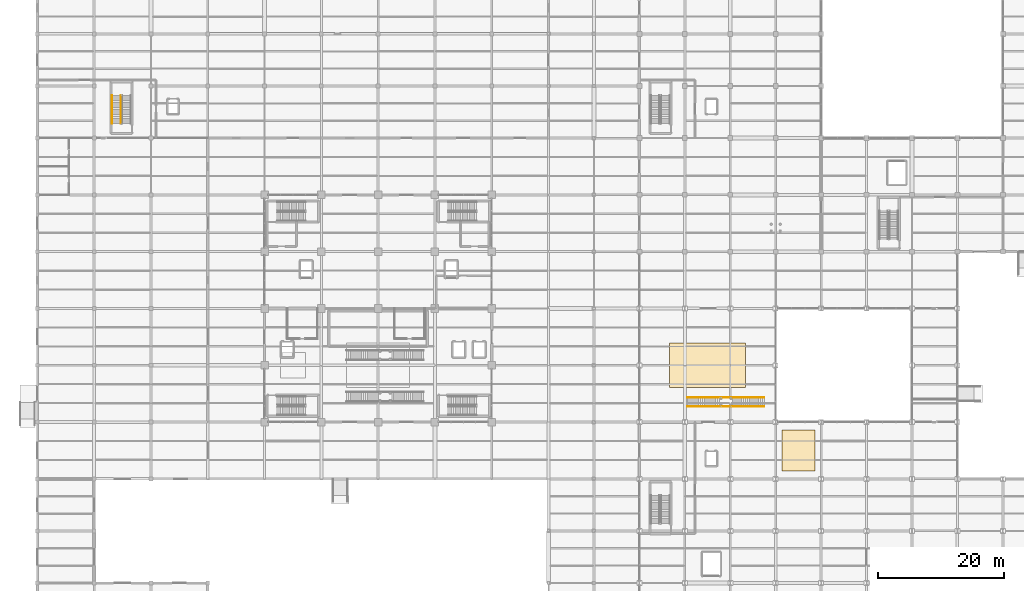
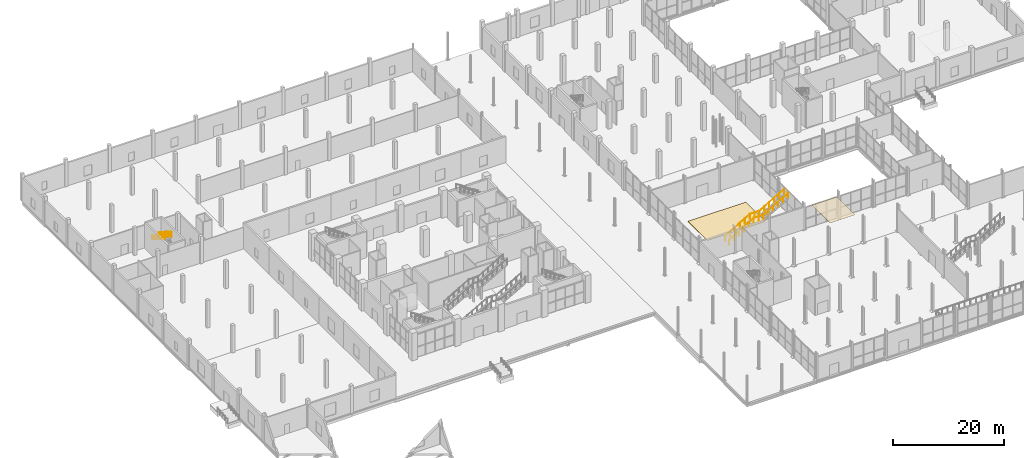
# One storey, part 139 of 144: 4 railings, 2 coverings.
"""IFC4 building model written with IfcOpenShell, lengths in metres."""

from ifc_helpers import new_model, si_unit, direction, frame, origin, origin_2d, place, context, subcontext, project, spatial, rectangle, circle, extrude, material, layer, layer_set, type_object, element, save


model = new_model("IFC4")

# Units and contexts
model_context = context("Model", 3, precision=1e-05, world=origin(), true_north=direction((0.0, 1.0)))
body_context = subcontext(model_context, "Body", "Model", "MODEL_VIEW")
ifc_project = project(units=[si_unit("LENGTHUNIT", "METRE"), si_unit("AREAUNIT", "SQUARE_METRE"), si_unit("VOLUMEUNIT", "CUBIC_METRE"), si_unit("PLANEANGLEUNIT", "RADIAN"), si_unit("MASSUNIT", "GRAM", prefix="KILO")], contexts=[model_context])

# Site, building, storey
site_placement = place(None, origin())
site = spatial("IfcSite", under=ifc_project, at=site_placement, CompositionType="ELEMENT")
building_placement = place(site_placement, origin())
building = spatial("IfcBuilding", under=site, at=building_placement, Name="Sundgate Opera House", CompositionType="ELEMENT")
storey_placement = place(building_placement, origin())
storey = spatial("IfcBuildingStorey", under=building, at=storey_placement, Name="L00", CompositionType="ELEMENT", Elevation=0.0)

# Coverings
ifc_material_1 = material(Name="Acoustic gypsum plasterboard ceiling", Category="gypsum")
ifc_layer_1 = layer(ifc_material_1, 0.034912109375)
ifc_layer_set_1 = layer_set([ifc_layer_1], Name="Acoustic gypsum plasterboard ceiling")
covering_type_1 = type_object("IfcCoveringType", Name="CV-CEIL-GYP", PredefinedType="CEILING", material=ifc_layer_set_1)
covering_1_placement = place(storey_placement, frame((120.60009765625, 37.5, 5.6650390625), z_axis=(0.0, 0.0, 1.0), x_axis=(1.0, 0.0, 0.0)))
element("IfcCovering", 1, at=covering_1_placement, inside=storey, type_object=covering_type_1, Name="L00 Acoustic Ceiling CV0126", PredefinedType="CEILING", context=body_context, shape_type="SweptSolid", body=[
    extrude(rectangle(XDim=5.199951171875, YDim=6.5, at=origin_2d()), origin(), (0.0, 0.0, 1.0), 0.034912109375),
])
ifc_material_2 = material(Name="Sprung European oak stage and ballet floor", Category="wood")
ifc_layer_2 = layer(ifc_material_2, 0.030029296875)
ifc_layer_set_2 = layer_set([ifc_layer_2], Name="Sprung European oak stage and ballet floor")
covering_type_2 = type_object("IfcCoveringType", Name="CV-FLR-SPRUNG", PredefinedType="FLOORING", material=ifc_layer_set_2)
covering_2_placement = place(storey_placement, frame((106.199951171875, 51.0, 0.0), z_axis=(0.0, 0.0, 1.0), x_axis=(1.0, 0.0, 0.0)))
element("IfcCovering", 2, at=covering_2_placement, inside=storey, type_object=covering_type_2, Name="L00 Floor Finish CV0138", PredefinedType="FLOORING", context=body_context, shape_type="SweptSolid", body=[
    extrude(rectangle(XDim=12.0, YDim=7.0, at=origin_2d()), origin(), (0.0, 0.0, 1.0), 0.030029296875),
])

# Railings
ifc_material_3 = material(Name="Painted steel S275 guardrail", Category="steel")
railing_type_1 = type_object("IfcRailingType", Name="RL-STAIR-GUARD-1100", PredefinedType="GUARDRAIL", material=ifc_material_3)
railing_1_placement = place(storey_placement, frame((13.199951171875, 93.780029296875, 3.176513671875)))
element("IfcRailing", 3, at=railing_1_placement, inside=storey, type_object=railing_type_1, Name="ST08L00 Guardrail RL0259", PredefinedType="GUARDRAIL", context=body_context, shape_type="SweptSolid", body=[
    extrude(circle(Radius=0.02392578125, at=origin_2d()), frame((0.0, 0.0, 1.076171875), z_axis=(0.0, -0.845997938375, 0.533186166611), x_axis=(1.0, 0.0, 0.0)), (0.0, 0.0, 1.0), 5.29541015625),
    extrude(circle(Radius=0.02099609375, at=origin_2d()), origin(), (0.0, 0.0, 1.0), 1.052001953125),
    extrude(circle(Radius=0.02099609375, at=origin_2d()), frame((0.0, -0.89599609375, 0.564697265625)), (0.0, 0.0, 1.0), 1.052001953125),
    extrude(circle(Radius=0.02099609375, at=origin_2d()), frame((0.0, -1.7919921875, 1.12939453125)), (0.0, 0.0, 1.0), 1.052001953125),
    extrude(circle(Radius=0.02099609375, at=origin_2d()), frame((0.0, -2.68798828125, 1.694091796875)), (0.0, 0.0, 1.0), 1.052001953125),
    extrude(circle(Radius=0.02099609375, at=origin_2d()), frame((0.0, -3.583984375, 2.2587890625)), (0.0, 0.0, 1.0), 1.052001953125),
    extrude(circle(Radius=0.02099609375, at=origin_2d()), frame((0.0, -4.47998046875, 2.823486328125)), (0.0, 0.0, 1.0), 1.052001953125),
])
railing_2_placement = place(storey_placement, frame((103.0, 44.489990234375, 0.0)))
element("IfcRailing", 4, at=railing_2_placement, inside=storey, type_object=railing_type_1, Name="ST11L00 Continuous Side Guardrail RL0280", PredefinedType="GUARDRAIL", context=body_context, shape_type="SweptSolid", body=[
    extrude(circle(Radius=0.02392578125, at=origin_2d()), frame((0.0, 0.0, 1.076171875), z_axis=(0.861938457885, 0.0, 0.507012913858), x_axis=(0.0, 1.0, 0.0)), (0.0, 0.0, 1.0), 5.9169921875),
    extrude(circle(Radius=0.02392578125, at=origin_2d()), frame((5.10009765625, 0.0, 4.076171875), z_axis=(1.0, 0.0, 0.0), x_axis=(0.0, 1.0, 0.0)), (0.0, 0.0, 1.0), 2.0),
    extrude(circle(Radius=0.02392578125, at=origin_2d()), frame((7.10009765625, 0.0, 4.076171875), z_axis=(0.861927850727, 0.0, 0.50703094594), x_axis=(0.0, 1.0, 0.0)), (0.0, 0.0, 1.0), 5.916748046875),
    extrude(circle(Radius=0.02099609375, at=origin_2d()), origin(), (0.0, 0.0, 1.0), 1.052001953125),
    extrude(circle(Radius=0.02099609375, at=origin_2d()), frame((1.02001953125, 0.0, 0.60009765625)), (0.0, 0.0, 1.0), 1.052001953125),
    extrude(circle(Radius=0.02099609375, at=origin_2d()), frame((2.0400390625, 0.0, 1.199951171875)), (0.0, 0.0, 1.0), 1.052001953125),
    extrude(circle(Radius=0.02099609375, at=origin_2d()), frame((3.06005859375, 0.0, 1.800048828125)), (0.0, 0.0, 1.0), 1.052001953125),
    extrude(circle(Radius=0.02099609375, at=origin_2d()), frame((4.080078125, 0.0, 2.39990234375)), (0.0, 0.0, 1.0), 1.052001953125),
    extrude(circle(Radius=0.02099609375, at=origin_2d()), frame((5.10009765625, 0.0, 3.0)), (0.0, 0.0, 1.0), 1.052001953125),
    extrude(circle(Radius=0.02099609375, at=origin_2d()), frame((6.10009765625, 0.0, 3.0)), (0.0, 0.0, 1.0), 1.052001953125),
    extrude(circle(Radius=0.02099609375, at=origin_2d()), frame((7.10009765625, 0.0, 3.0)), (0.0, 0.0, 1.0), 1.052001953125),
    extrude(circle(Radius=0.02099609375, at=origin_2d()), frame((8.1201171875, 0.0, 3.60009765625)), (0.0, 0.0, 1.0), 1.052001953125),
    extrude(circle(Radius=0.02099609375, at=origin_2d()), frame((9.14013671875, 0.0, 4.199951171875)), (0.0, 0.0, 1.0), 1.052001953125),
    extrude(circle(Radius=0.02099609375, at=origin_2d()), frame((10.159912109375, 0.0, 4.800048828125)), (0.0, 0.0, 1.0), 1.052001953125),
    extrude(circle(Radius=0.02099609375, at=origin_2d()), frame((11.179931640625, 0.0, 5.39990234375)), (0.0, 0.0, 1.0), 1.052001953125),
    extrude(circle(Radius=0.02099609375, at=origin_2d()), frame((12.199951171875, 0.0, 6.0)), (0.0, 0.0, 1.0), 1.052001953125),
])
railing_3_placement = place(storey_placement, frame((103.0, 45.909912109375, 0.0)))
element("IfcRailing", 5, at=railing_3_placement, inside=storey, type_object=railing_type_1, Name="ST11L00 Continuous Side Guardrail RL0281", PredefinedType="GUARDRAIL", context=body_context, shape_type="SweptSolid", body=[
    extrude(circle(Radius=0.02392578125, at=origin_2d()), frame((0.0, 0.0, 1.076171875), z_axis=(0.861938457885, 0.0, 0.507012913858), x_axis=(0.0, 1.0, 0.0)), (0.0, 0.0, 1.0), 5.9169921875),
    extrude(circle(Radius=0.02392578125, at=origin_2d()), frame((5.10009765625, 0.0, 4.076171875), z_axis=(1.0, 0.0, 0.0), x_axis=(0.0, 1.0, 0.0)), (0.0, 0.0, 1.0), 2.0),
    extrude(circle(Radius=0.02392578125, at=origin_2d()), frame((7.10009765625, 0.0, 4.076171875), z_axis=(0.861927850727, 0.0, 0.50703094594), x_axis=(0.0, 1.0, 0.0)), (0.0, 0.0, 1.0), 5.916748046875),
    extrude(circle(Radius=0.02099609375, at=origin_2d()), origin(), (0.0, 0.0, 1.0), 1.052001953125),
    extrude(circle(Radius=0.02099609375, at=origin_2d()), frame((1.02001953125, 0.0, 0.60009765625)), (0.0, 0.0, 1.0), 1.052001953125),
    extrude(circle(Radius=0.02099609375, at=origin_2d()), frame((2.0400390625, 0.0, 1.199951171875)), (0.0, 0.0, 1.0), 1.052001953125),
    extrude(circle(Radius=0.02099609375, at=origin_2d()), frame((3.06005859375, 0.0, 1.800048828125)), (0.0, 0.0, 1.0), 1.052001953125),
    extrude(circle(Radius=0.02099609375, at=origin_2d()), frame((4.080078125, 0.0, 2.39990234375)), (0.0, 0.0, 1.0), 1.052001953125),
    extrude(circle(Radius=0.02099609375, at=origin_2d()), frame((5.10009765625, 0.0, 3.0)), (0.0, 0.0, 1.0), 1.052001953125),
    extrude(circle(Radius=0.02099609375, at=origin_2d()), frame((6.10009765625, 0.0, 3.0)), (0.0, 0.0, 1.0), 1.052001953125),
    extrude(circle(Radius=0.02099609375, at=origin_2d()), frame((7.10009765625, 0.0, 3.0)), (0.0, 0.0, 1.0), 1.052001953125),
    extrude(circle(Radius=0.02099609375, at=origin_2d()), frame((8.1201171875, 0.0, 3.60009765625)), (0.0, 0.0, 1.0), 1.052001953125),
    extrude(circle(Radius=0.02099609375, at=origin_2d()), frame((9.14013671875, 0.0, 4.199951171875)), (0.0, 0.0, 1.0), 1.052001953125),
    extrude(circle(Radius=0.02099609375, at=origin_2d()), frame((10.159912109375, 0.0, 4.800048828125)), (0.0, 0.0, 1.0), 1.052001953125),
    extrude(circle(Radius=0.02099609375, at=origin_2d()), frame((11.179931640625, 0.0, 5.39990234375)), (0.0, 0.0, 1.0), 1.052001953125),
    extrude(circle(Radius=0.02099609375, at=origin_2d()), frame((12.199951171875, 0.0, 6.0)), (0.0, 0.0, 1.0), 1.052001953125),
])
ifc_material_4 = material(Name="Brushed stainless steel handrail", Category="steel")
railing_type_2 = type_object("IfcRailingType", Name="RL-STAIR-HAND-900", PredefinedType="HANDRAIL", material=ifc_material_4)
railing_4_placement = place(storey_placement, frame((11.85009765625, 93.780029296875, 3.176513671875)))
element("IfcRailing", 6, at=railing_4_placement, inside=storey, type_object=railing_type_2, Name="ST08L00 Handrail RL0262", PredefinedType="HANDRAIL", context=body_context, shape_type="SweptSolid", body=[
    extrude(circle(Radius=0.02392578125, at=origin_2d()), frame((0.0, 0.0, 0.8759765625), z_axis=(0.0, -0.845997938375, 0.533186166611), x_axis=(1.0, 0.0, 0.0)), (0.0, 0.0, 1.0), 5.29541015625),
    extrude(circle(Radius=0.02099609375, at=origin_2d()), origin(), (0.0, 0.0, 1.0), 0.851806640625),
    extrude(circle(Radius=0.02099609375, at=origin_2d()), frame((0.0, -0.89599609375, 0.564697265625)), (0.0, 0.0, 1.0), 0.851806640625),
    extrude(circle(Radius=0.02099609375, at=origin_2d()), frame((0.0, -1.7919921875, 1.12939453125)), (0.0, 0.0, 1.0), 0.851806640625),
    extrude(circle(Radius=0.02099609375, at=origin_2d()), frame((0.0, -2.68798828125, 1.694091796875)), (0.0, 0.0, 1.0), 0.851806640625),
    extrude(circle(Radius=0.02099609375, at=origin_2d()), frame((0.0, -3.583984375, 2.2587890625)), (0.0, 0.0, 1.0), 0.851806640625),
    extrude(circle(Radius=0.02099609375, at=origin_2d()), frame((0.0, -4.47998046875, 2.823486328125)), (0.0, 0.0, 1.0), 0.851806640625),
])

save(model, "model.ifc")
